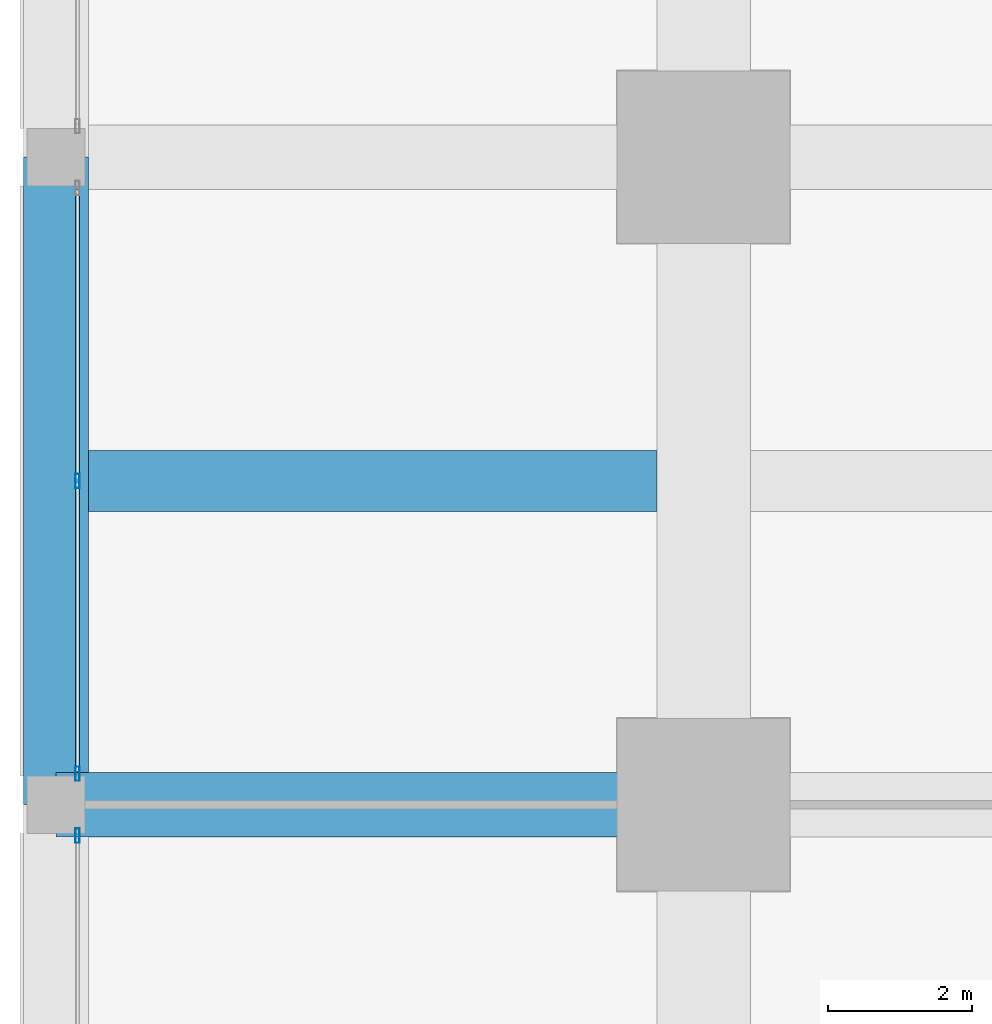
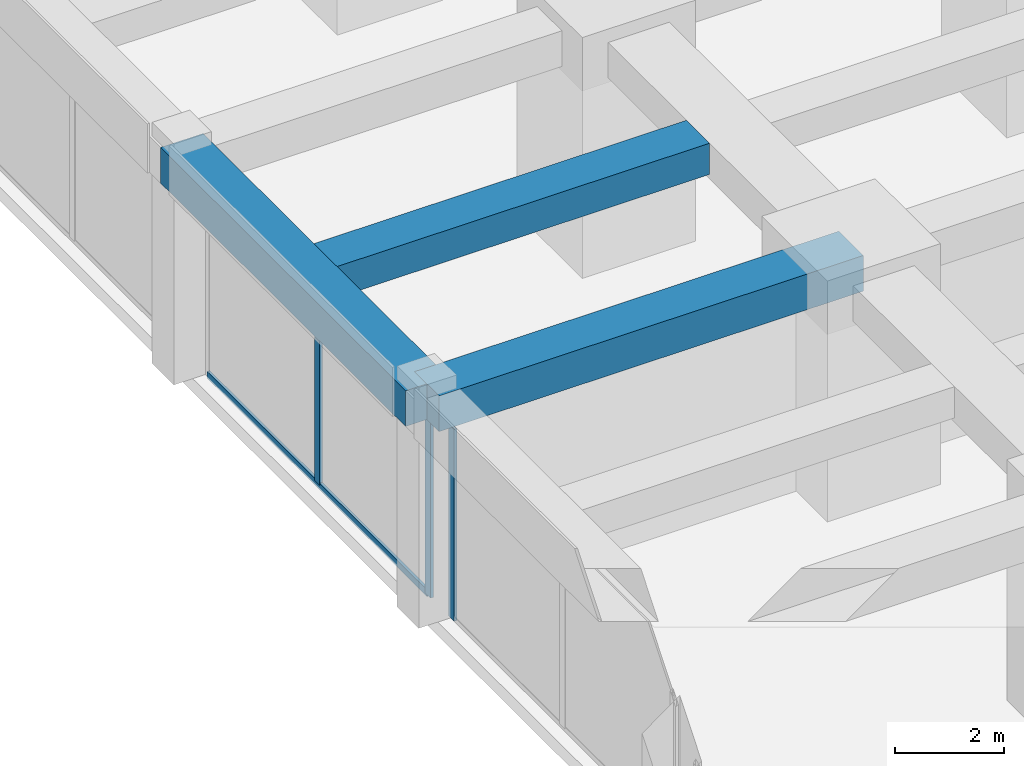
# One storey, part 9 of 45: 4 members, 3 beams, 2 elements without a shape of their own.
"""IFC4 building model written with IfcOpenShell, lengths in metres."""

from ifc_helpers import new_model, si_unit, direction, frame, origin, origin_2d, place, context, subcontext, project, spatial, rectangle, hollow_rectangle, extrude, material, material_profile, profile_set, type_object, element, aggregate, save


model = new_model("IFC4")

# Units and contexts
model_context = context("Model", 3, precision=1e-05, world=origin(), true_north=direction((0.0, 1.0)))
body_context = subcontext(model_context, "Body", "Model", "MODEL_VIEW")
ifc_project = project(units=[si_unit("LENGTHUNIT", "METRE"), si_unit("AREAUNIT", "SQUARE_METRE"), si_unit("VOLUMEUNIT", "CUBIC_METRE"), si_unit("PLANEANGLEUNIT", "RADIAN"), si_unit("MASSUNIT", "GRAM", prefix="KILO")], contexts=[model_context])

# Site, building, storey
site_placement = place(None, origin())
site = spatial("IfcSite", under=ifc_project, at=site_placement, CompositionType="ELEMENT")
building_placement = place(site_placement, origin())
building = spatial("IfcBuilding", under=site, at=building_placement, Name="Zorevar Civic Tower", CompositionType="ELEMENT")
storey_placement = place(building_placement, frame((0.0, 0.0, 5.39990234375)))
storey = spatial("IfcBuildingStorey", under=building, at=storey_placement, Name="L01", CompositionType="ELEMENT", Elevation=5.39990234375)

# Beams
ifc_material_1 = material(Name="Concrete C50/60", Category="concrete")
ifc_material_profile_1 = material_profile(ifc_material_1, rectangle(XDim=0.85009765625, YDim=0.699951171875, at=origin_2d()), Name="RC 850x700")
ifc_profile_set_1 = profile_set([ifc_material_profile_1], Name="Concrete C50/60")
beam_type_1 = type_object("IfcBeamType", Name="Beam RC 850x700", PredefinedType="BEAM", material=ifc_profile_set_1)
beam_1_placement = place(storey_placement, frame((-8.550048828125, 22.5, 4.75), z_axis=(1.0, 0.0, 0.0), x_axis=(0.0, 1.0, 0.0)))
element("IfcBeam", 1, at=beam_1_placement, inside=storey, type_object=beam_type_1, Name="Secondary beam L02", PredefinedType="BEAM", context=body_context, shape_type="SweptSolid", body=[
    extrude(rectangle(XDim=0.85009765625, YDim=0.699951171875, at=origin_2d()), origin(), (0.0, 0.0, 1.0), 7.900146484375),
])
ifc_material_2 = material(Name="Concrete C50/60", Category="concrete")
ifc_material_profile_2 = material_profile(ifc_material_2, rectangle(XDim=0.89990234375, YDim=0.800048828125, at=origin_2d()), Name="RC 900x800")
ifc_profile_set_2 = profile_set([ifc_material_profile_2], Name="Concrete C50/60")
beam_type_2 = type_object("IfcBeamType", Name="Beam RC 900x800", PredefinedType="BEAM", material=ifc_profile_set_2)
beam_2_placement = place(storey_placement, frame((-9.0, 18.0, 4.7001953125), z_axis=(1.0, 0.0, 0.0), x_axis=(0.0, 1.0, 0.0)))
element("IfcBeam", 2, at=beam_2_placement, inside=storey, type_object=beam_type_2, Name="Girder L02", PredefinedType="BEAM", context=body_context, shape_type="SweptSolid", body=[
    extrude(rectangle(XDim=0.89990234375, YDim=0.800048828125, at=origin_2d()), origin(), (0.0, 0.0, 1.0), 9.0),
])

# Curtain wall, member
ifc_material_3 = material(Name="Dark grey solar-control glass in black aluminium frame", Category="aluminium")
curtain_wall_type = type_object("IfcCurtainWallType", Name="Curtain wall CW1 podium", PredefinedType="NOTDEFINED", material=ifc_material_3)
curtain_wall_1_placement = place(storey_placement, origin())
curtain_wall_1 = element("IfcCurtainWall", 3, at=curtain_wall_1_placement, inside=storey, type_object=curtain_wall_type, Name="CW1 L01", PredefinedType="NOTDEFINED")
ifc_material_4 = material(Name="Aluminium, black anodised", Category="aluminium")
ifc_material_profile_3 = material_profile(ifc_material_4, hollow_rectangle(XDim=0.06005859375, YDim=0.199951171875, WallThickness=0.00390625, at=origin_2d()), Name="AL 200x60x4")
ifc_profile_set_3 = profile_set([ifc_material_profile_3], Name="Aluminium, black anodised")
member_type_1 = type_object("IfcMemberType", Name="CW1 mullion AL 200x60x4", PredefinedType="MULLION", material=ifc_profile_set_3)
member_1_placement = place(storey_placement, frame((-8.699951171875, 17.570068359375, 0.0), z_axis=(0.0, 0.0, 1.0), x_axis=(-1.0, 0.0, 0.0)))
member_1 = element("IfcMember", 4, at=member_1_placement, type_object=member_type_1, Name="CW1 mullion 3", PredefinedType="MULLION", context=body_context, shape_type="SweptSolid", body=[
    extrude(hollow_rectangle(XDim=0.06005859375, YDim=0.199951171875, WallThickness=0.00390625, at=origin_2d()), origin(), (0.0, 0.0, 1.0), 4.300048828125),
])
aggregate(curtain_wall_1, [member_1])

# Curtain wall, members
curtain_wall_2_placement = place(storey_placement, origin())
curtain_wall_2 = element("IfcCurtainWall", 5, at=curtain_wall_2_placement, inside=storey, type_object=curtain_wall_type, Name="CW1 L01", PredefinedType="NOTDEFINED")
member_2_placement = place(storey_placement, frame((-8.699951171875, 18.429931640625, 0.0), z_axis=(0.0, 0.0, 1.0), x_axis=(-1.0, 0.0, 0.0)))
member_2 = element("IfcMember", 6, at=member_2_placement, type_object=member_type_1, Name="CW1 mullion 1", PredefinedType="MULLION", context=body_context, shape_type="SweptSolid", body=[
    extrude(hollow_rectangle(XDim=0.06005859375, YDim=0.199951171875, WallThickness=0.00390625, at=origin_2d()), origin(), (0.0, 0.0, 1.0), 4.300048828125),
])
member_3_placement = place(storey_placement, frame((-8.699951171875, 22.5, 0.06005859375), z_axis=(0.0, 0.0, 1.0), x_axis=(-1.0, 0.0, 0.0)))
member_3 = element("IfcMember", 7, at=member_3_placement, type_object=member_type_1, Name="CW1 mullion 2", PredefinedType="MULLION", context=body_context, shape_type="SweptSolid", body=[
    extrude(hollow_rectangle(XDim=0.06005859375, YDim=0.199951171875, WallThickness=0.00390625, at=origin_2d()), origin(), (0.0, 0.0, 1.0), 4.239990234375),
])
ifc_material_5 = material(Name="Aluminium, black anodised", Category="aluminium")
ifc_material_profile_4 = material_profile(ifc_material_5, hollow_rectangle(XDim=0.06005859375, YDim=0.14990234375, WallThickness=0.00390625, at=origin_2d()), Name="AL 150x60x4")
ifc_profile_set_4 = profile_set([ifc_material_profile_4], Name="Aluminium, black anodised")
member_type_2 = type_object("IfcMemberType", Name="CW1 transom AL 150x60x4", PredefinedType="USERDEFINED", material=ifc_profile_set_4)
member_4_placement = place(storey_placement, frame((-8.699951171875, 18.4599609375, 0.030029296875), z_axis=(0.0, 1.0, 0.0), x_axis=(-1.0, 0.0, 0.0)))
member_4 = element("IfcMember", 8, at=member_4_placement, type_object=member_type_2, Name="CW1 sill transom", ObjectType="TRANSOM", PredefinedType="USERDEFINED", context=body_context, shape_type="SweptSolid", body=[
    extrude(hollow_rectangle(XDim=0.06005859375, YDim=0.14990234375, WallThickness=0.00390625, at=origin_2d()), origin(), (0.0, 0.0, 1.0), 8.080078125),
])
aggregate(curtain_wall_2, [member_2, member_3, member_4])

# Beam
ifc_material_6 = material(Name="Concrete C50/60", Category="concrete")
ifc_material_profile_5 = material_profile(ifc_material_6, rectangle(XDim=0.89990234375, YDim=0.800048828125, at=origin_2d()), Name="RC 900x800")
ifc_profile_set_5 = profile_set([ifc_material_profile_5], Name="Concrete C50/60")
beam_type_3 = type_object("IfcBeamType", Name="Edge beam RC 900x800", PredefinedType="SPANDREL", material=ifc_profile_set_5)
beam_3_placement = place(storey_placement, frame((-9.0, 18.0, 4.7001953125), z_axis=(0.0, 1.0, 0.0), x_axis=(-1.0, 0.0, 0.0)))
element("IfcBeam", 9, at=beam_3_placement, inside=storey, type_object=beam_type_3, Name="Edge beam L02", PredefinedType="SPANDREL", context=body_context, shape_type="SweptSolid", body=[
    extrude(rectangle(XDim=0.89990234375, YDim=0.800048828125, at=origin_2d()), origin(), (0.0, 0.0, 1.0), 9.0),
])

save(model, "model.ifc")
